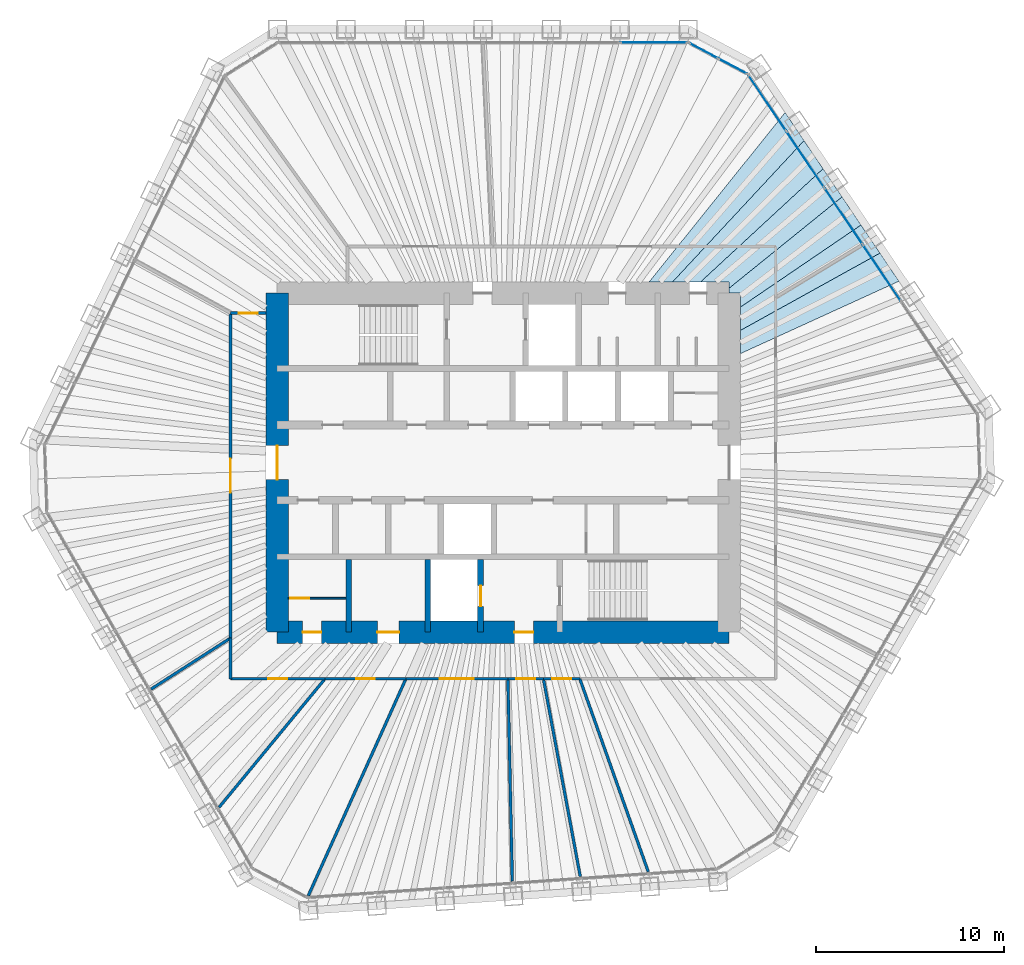
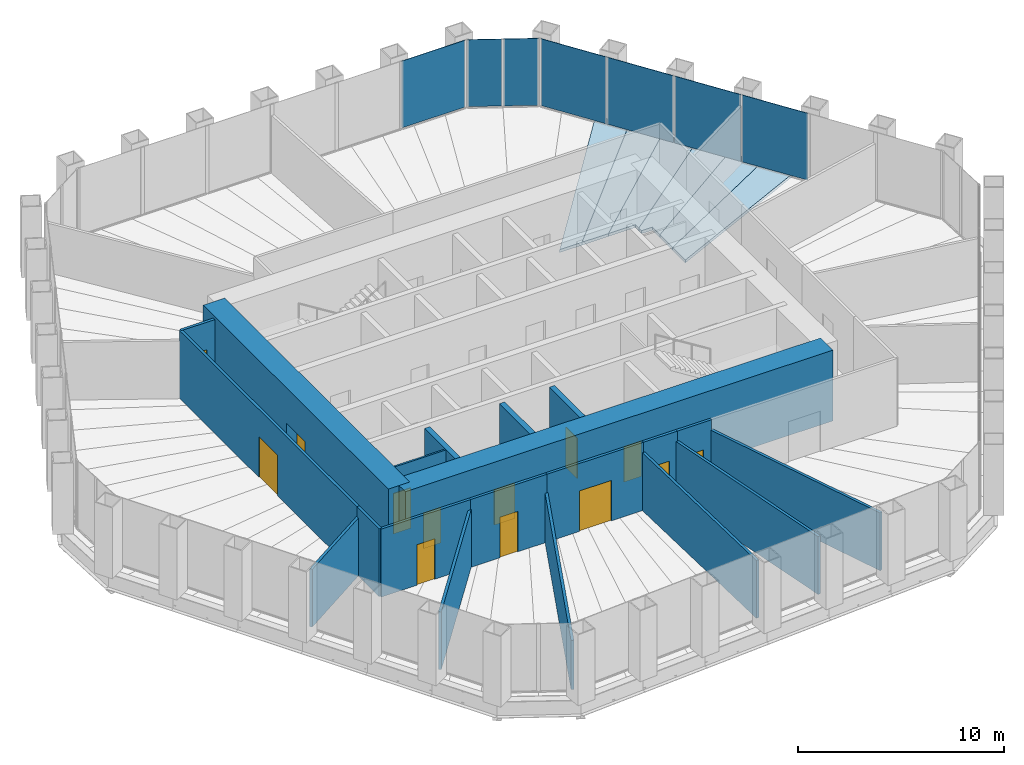
# One storey, part 10 of 13: 20 walls, 13 doors, 7 plates, 6 slabs, 13 openings, 3 elements without a shape of their own.
"""IFC4 building model written with IfcOpenShell, lengths in metres."""

from ifc_helpers import new_model, si_unit, direction, frame, frame_2d, origin, origin_2d, place, context, subcontext, project, spatial, polyline, rectangle, outline, extrude, material, layer, layer_set, type_object, element, fill, aggregate, save


model = new_model("IFC4")

# Units and contexts
model_context = context("Model", 3, precision=1e-05, world=origin(), true_north=direction((0.0, 1.0)))
body_context = subcontext(model_context, "Body", "Model", "MODEL_VIEW")
ifc_project = project(units=[si_unit("LENGTHUNIT", "METRE"), si_unit("AREAUNIT", "SQUARE_METRE"), si_unit("VOLUMEUNIT", "CUBIC_METRE"), si_unit("PLANEANGLEUNIT", "RADIAN"), si_unit("MASSUNIT", "GRAM", prefix="KILO")], contexts=[model_context])

# Site, building, storey
site_placement = place(None, origin())
site = spatial("IfcSite", under=ifc_project, at=site_placement, CompositionType="ELEMENT")
building_placement = place(site_placement, origin())
building = spatial("IfcBuilding", under=site, at=building_placement, Name="Qingtian Harvest Tower", CompositionType="ELEMENT")
storey_placement = place(building_placement, frame((0.0, 0.0, 230.800048828125)))
storey = spatial("IfcBuildingStorey", under=building, at=storey_placement, Name="L50", CompositionType="ELEMENT", Elevation=230.800048828125)

# Slabs
ifc_material_1 = material(Name="Concrete fc' 35 MPa", Category="concrete")
ifc_layer_1 = layer(ifc_material_1, 0.169921875)
ifc_layer_set_1 = layer_set([ifc_layer_1], Name="Composite floor slab FS17 170")
slab_type = type_object("IfcSlabType", Name="Composite floor slab FS17 170", PredefinedType="FLOOR", material=ifc_layer_set_1)
slab_1_placement = place(storey_placement, frame((0.0, 0.0, -0.170166015625)))
element("IfcSlab", 1, at=slab_1_placement, inside=storey, type_object=slab_type, Name="Floor slab L50 panel D45", PredefinedType="FLOOR", context=body_context, shape_type="SweptSolid", body=[
    extrude(outline(polyline([(12.60009765625, 7.023681640625), (20.003662109375, 11.125244140625), (21.010986328125, 9.6318359375), (12.60009765625, 5.7900390625), (12.60009765625, 7.023681640625)])), origin(), (0.0, 0.0, 1.0), 0.170166015625),
])
slab_2_placement = place(storey_placement, frame((0.0, 0.0, -0.170166015625)))
element("IfcSlab", 2, at=slab_2_placement, inside=storey, type_object=slab_type, Name="Floor slab L50 panel D46", PredefinedType="FLOOR", context=body_context, shape_type="SweptSolid", body=[
    extrude(outline(polyline([(12.60009765625, 8.260498046875), (18.997802734375, 12.61669921875), (20.003662109375, 11.125244140625), (12.60009765625, 7.023681640625), (12.60009765625, 8.260498046875)])), origin(), (0.0, 0.0, 1.0), 0.170166015625),
])
slab_3_placement = place(storey_placement, frame((0.0, 0.0, -0.170166015625)))
element("IfcSlab", 3, at=slab_3_placement, inside=storey, type_object=slab_type, Name="Floor slab L50 panel D47", PredefinedType="FLOOR", context=body_context, shape_type="SweptSolid", body=[
    extrude(outline(polyline([(12.60009765625, 9.0), (12.0, 9.0), (12.0, 9.2666015625), (17.99072265625, 14.109375), (18.997802734375, 12.61669921875), (12.60009765625, 8.260498046875), (12.60009765625, 9.0)])), origin(), (0.0, 0.0, 1.0), 0.170166015625),
])
slab_4_placement = place(storey_placement, frame((0.0, 0.0, -0.170166015625)))
element("IfcSlab", 4, at=slab_4_placement, inside=storey, type_object=slab_type, Name="Floor slab L50 panel D48", PredefinedType="FLOOR", context=body_context, shape_type="SweptSolid", body=[
    extrude(outline(polyline([(12.0, 9.60009765625), (10.48583984375, 9.60009765625), (16.982177734375, 15.604736328125), (17.99072265625, 14.109375), (12.0, 9.2666015625), (12.0, 9.60009765625)])), origin(), (0.0, 0.0, 1.0), 0.170166015625),
])
slab_5_placement = place(storey_placement, frame((0.0, 0.0, -0.170166015625)))
element("IfcSlab", 5, at=slab_5_placement, inside=storey, type_object=slab_type, Name="Floor slab L50 panel D49", PredefinedType="FLOOR", context=body_context, shape_type="SweptSolid", body=[
    extrude(outline(polyline([(8.998291015625, 9.60009765625), (15.974853515625, 17.098388671875), (16.982177734375, 15.604736328125), (10.48583984375, 9.60009765625), (8.998291015625, 9.60009765625)])), origin(), (0.0, 0.0, 1.0), 0.170166015625),
])
slab_6_placement = place(storey_placement, frame((0.0, 0.0, -0.170166015625)))
element("IfcSlab", 6, at=slab_6_placement, inside=storey, type_object=slab_type, Name="Floor slab L50 panel D50", PredefinedType="FLOOR", context=body_context, shape_type="SweptSolid", body=[
    extrude(outline(polyline([(7.751220703125, 9.60009765625), (14.967529296875, 18.591796875), (15.974853515625, 17.098388671875), (8.998291015625, 9.60009765625), (7.751220703125, 9.60009765625)])), origin(), (0.0, 0.0, 1.0), 0.170166015625),
])

# Curtain wall, plate
ifc_material_2 = material(Name="Bronze-anodised aluminium curtain wall", Category="aluminium")
curtain_wall_type = type_object("IfcCurtainWallType", Name="Curtain wall CW4 office", PredefinedType="USERDEFINED", material=ifc_material_2)
curtain_wall_1_placement = place(storey_placement, origin())
curtain_wall_1 = element("IfcCurtainWall", 7, at=curtain_wall_1_placement, inside=storey, type_object=curtain_wall_type, Name="Curtain wall CW4 L50 N0-5", ObjectType="RECESSED CURTAIN WALL", PredefinedType="USERDEFINED")
ifc_material_3 = material(Name="Bronze-tinted laminated insulating glass", Category="glass")
ifc_layer_2 = layer(ifc_material_3, 0.030029296875)
ifc_layer_set_2 = layer_set([ifc_layer_2], Name="Glazed panel CWP tinted IGU")
plate_type = type_object("IfcPlateType", Name="Glazed panel CWP tinted IGU", PredefinedType="CURTAIN_PANEL", material=ifc_layer_set_2)
plate_1_placement = place(storey_placement, frame((7.996337890625, 22.300048828125, 0.06494140625), z_axis=(0.0, 0.0, 1.0), x_axis=(1.0, 0.0, 0.0)))
plate_1 = element("IfcPlate", 8, at=plate_1_placement, type_object=plate_type, Name="CW4 panel 6.1", PredefinedType="CURTAIN_PANEL", context=body_context, shape_type="SweptSolid", body=[
    extrude(rectangle(XDim=3.5361328125, YDim=0.030029296875, at=origin_2d()), origin(), (0.0, 0.0, 1.0), 3.965087890625),
])
aggregate(curtain_wall_1, [plate_1])

# Curtain wall, plates
curtain_wall_2_placement = place(storey_placement, origin())
curtain_wall_2 = element("IfcCurtainWall", 9, at=curtain_wall_2_placement, inside=storey, type_object=curtain_wall_type, Name="Curtain wall CW4 L50 NC", ObjectType="RECESSED CURTAIN WALL", PredefinedType="USERDEFINED")
plate_2_placement = place(storey_placement, frame((10.634033203125, 21.8720703125, 0.06494140625), z_axis=(0.0, 0.0, 1.0), x_axis=(0.882947592859, -0.469471562786, 0.0)))
plate_2 = element("IfcPlate", 10, at=plate_2_placement, type_object=plate_type, Name="CW4 panel 1.1", PredefinedType="CURTAIN_PANEL", context=body_context, shape_type="SweptSolid", body=[
    extrude(rectangle(XDim=1.69287109375, YDim=0.030029296875, at=origin_2d()), origin(), (0.0, 0.0, 1.0), 3.965087890625),
])
plate_3_placement = place(storey_placement, frame((12.186279296875, 21.046875, 0.06494140625), z_axis=(0.0, 0.0, 1.0), x_axis=(0.882947592859, -0.469471562786, 0.0)))
plate_3 = element("IfcPlate", 11, at=plate_3_placement, type_object=plate_type, Name="CW4 panel 2.1", PredefinedType="CURTAIN_PANEL", context=body_context, shape_type="SweptSolid", body=[
    extrude(rectangle(XDim=1.69287109375, YDim=0.030029296875, at=origin_2d()), origin(), (0.0, 0.0, 1.0), 3.965087890625),
])
aggregate(curtain_wall_2, [plate_2, plate_3])

curtain_wall_3_placement = place(storey_placement, origin())
curtain_wall_3 = element("IfcCurtainWall", 12, at=curtain_wall_3_placement, inside=storey, type_object=curtain_wall_type, Name="Curtain wall CW4 L50 NE0-5", ObjectType="RECESSED CURTAIN WALL", PredefinedType="USERDEFINED")
plate_4_placement = place(storey_placement, frame((14.01611328125, 19.09912109375, 0.06494140625), z_axis=(0.0, 0.0, 1.0), x_axis=(0.559192903471, -0.829037572555, 0.0)))
plate_4 = element("IfcPlate", 13, at=plate_4_placement, type_object=plate_type, Name="CW4 panel 1.1", PredefinedType="CURTAIN_PANEL", context=body_context, shape_type="SweptSolid", body=[
    extrude(rectangle(XDim=3.5361328125, YDim=0.030029296875, at=origin_2d()), origin(), (0.0, 0.0, 1.0), 3.965087890625),
])
plate_5_placement = place(storey_placement, frame((16.038818359375, 16.100341796875, 0.06494140625), z_axis=(0.0, 0.0, 1.0), x_axis=(0.559192903471, -0.829037572555, 0.0)))
plate_5 = element("IfcPlate", 14, at=plate_5_placement, type_object=plate_type, Name="CW4 panel 2.1", PredefinedType="CURTAIN_PANEL", context=body_context, shape_type="SweptSolid", body=[
    extrude(rectangle(XDim=3.568603515625, YDim=0.030029296875, at=origin_2d()), origin(), (0.0, 0.0, 1.0), 3.965087890625),
])
plate_6_placement = place(storey_placement, frame((18.07080078125, 13.087890625, 0.06494140625), z_axis=(0.0, 0.0, 1.0), x_axis=(0.559192903471, -0.829037572555, 0.0)))
plate_6 = element("IfcPlate", 15, at=plate_6_placement, type_object=plate_type, Name="CW4 panel 3.1", PredefinedType="CURTAIN_PANEL", context=body_context, shape_type="SweptSolid", body=[
    extrude(rectangle(XDim=3.568603515625, YDim=0.030029296875, at=origin_2d()), origin(), (0.0, 0.0, 1.0), 3.965087890625),
])
plate_7_placement = place(storey_placement, frame((20.1025390625, 10.07568359375, 0.06494140625), z_axis=(0.0, 0.0, 1.0), x_axis=(0.559192903471, -0.829037572555, 0.0)))
plate_7 = element("IfcPlate", 16, at=plate_7_placement, type_object=plate_type, Name="CW4 panel 4.1", PredefinedType="CURTAIN_PANEL", context=body_context, shape_type="SweptSolid", body=[
    extrude(rectangle(XDim=3.568603515625, YDim=0.030029296875, at=origin_2d()), origin(), (0.0, 0.0, 1.0), 3.965087890625),
])
aggregate(curtain_wall_3, [plate_4, plate_5, plate_6, plate_7])

# Walls
ifc_material_4 = material(Name="Precast concrete shaft panel", Category="concrete")
ifc_layer_3 = layer(ifc_material_4, 0.300048828125)
ifc_layer_set_3 = layer_set([ifc_layer_3], Name="Core shaft partition SW1 300")
wall_type_1 = type_object("IfcWallType", Name="Core shaft partition SW1 300", PredefinedType="PARTITIONING", material=ifc_layer_set_3)
for number, where, z_axis, x_axis, name in (
    (17, (-8.199951171875, -9.0, 0.0), (0.0, 0.0, 1.0), (0.0, 1.0, 0.0), "Core shaft partition XS1 L50"),
    (18, (-4.0, -9.0, 0.0), (0.0, 0.0, 1.0), (0.0, 1.0, 0.0), "Core shaft partition XS2 L50"),
):
    element("IfcWall", number, at=place(storey_placement, frame(where, z_axis=z_axis, x_axis=x_axis)), inside=storey, type_object=wall_type_1, Name=name, PredefinedType="PARTITIONING", context=body_context, shape_type="SweptSolid", body=[
        extrude(rectangle(XDim=3.85009765625, YDim=0.300048828125, at=frame_2d((1.925048828125, 0.0))), origin(), (0.0, 0.0, 1.0), 3.97998046875),
    ])

# Wall, opening, door
wall_1_placement = place(storey_placement, frame((-1.199951171875, -9.0, 0.0), z_axis=(0.0, 0.0, 1.0), x_axis=(0.0, 1.0, 0.0)))
wall_1 = element("IfcWall", 19, at=wall_1_placement, inside=storey, type_object=wall_type_1, Name="Core shaft partition XS3 L50", PredefinedType="PARTITIONING", context=body_context, shape_type="SweptSolid", body=[
    extrude(rectangle(XDim=3.85009765625, YDim=0.300048828125, at=frame_2d((1.925048828125, 0.0))), origin(), (0.0, 0.0, 1.0), 3.97998046875),
])
opening_1_placement = place(wall_1_placement, frame((1.375, 0.0, 0.0)))
opening_1 = element("IfcOpeningElement", 20, at=opening_1_placement, cuts=wall_1, Name="Opening LD1", PredefinedType="OPENING", context=body_context, shape_type="SweptSolid", body=[
    extrude(rectangle(XDim=1.10009765625, YDim=2.39990234375, at=frame_2d((0.550048828125, 1.199951171875))), frame((0.0, 0.159912109375, 0.0), z_axis=(0.0, -1.0, 0.0), x_axis=(1.0, 0.0, 0.0)), (0.0, 0.0, 1.0), 0.320068359375),
])
ifc_material_5 = material(Name="Stainless steel lift landing door", Category="steel")
door_type_1 = type_object("IfcDoorType", Name="Lift landing door LD1 1 HR", OperationType="DOUBLE_DOOR_SLIDING", PredefinedType="DOOR", material=ifc_material_5)
door_1_placement = place(opening_1_placement, origin())
door_1 = element("IfcDoor", 21, at=door_1_placement, inside=storey, type_object=door_type_1, Name="FL2 landing door L50", OperationType="DOUBLE_DOOR_SLIDING", OverallHeight=2.39990234375, OverallWidth=1.10009765625, PredefinedType="DOOR", context=body_context, shape_type="SweptSolid", body=[
    extrude(rectangle(XDim=1.10009765625, YDim=2.39990234375, at=frame_2d((0.550048828125, 1.199951171875))), frame((0.0, 0.02490234375, 0.0), z_axis=(0.0, -1.0, 0.0), x_axis=(1.0, 0.0, 0.0)), (0.0, 0.0, 1.0), 0.050048828125),
])
fill(opening_1, door_1)

# Wall, openings, doors
ifc_material_6 = material(Name="Concrete fc' 70 MPa", Category="concrete")
ifc_layer_4 = layer(ifc_material_6, 1.199951171875)
ifc_layer_set_4 = layer_set([ifc_layer_4], Name="Core wall RC2 1200")
wall_type_2 = type_object("IfcWallType", Name="Core wall RC2 1200", PredefinedType="SHEAR", material=ifc_layer_set_4)
wall_2_placement = place(storey_placement, frame((-12.0, -9.0, 0.0), z_axis=(0.0, 0.0, 1.0), x_axis=(1.0, 0.0, 0.0)))
wall_2 = element("IfcWall", 22, at=wall_2_placement, inside=storey, type_object=wall_type_2, Name="Core wall CS L50", PredefinedType="SHEAR", context=body_context, shape_type="SweptSolid", body=[
    extrude(rectangle(XDim=24.0, YDim=1.199951171875, at=frame_2d((12.0, 0.0))), origin(), (0.0, 0.0, 1.0), 4.199951171875),
])
opening_2_placement = place(wall_2_placement, frame((1.35009765625, 0.0, 0.0)))
opening_2 = element("IfcOpeningElement", 23, at=opening_2_placement, cuts=wall_2, Name="Opening FD1", PredefinedType="OPENING", context=body_context, shape_type="SweptSolid", body=[
    extrude(rectangle(XDim=1.0, YDim=2.10009765625, at=frame_2d((0.5, 1.050048828125))), frame((0.0, 0.60986328125, 0.0), z_axis=(0.0, -1.0, 0.0), x_axis=(1.0, 0.0, 0.0)), (0.0, 0.0, 1.0), 1.219970703125),
])
opening_3_placement = place(wall_2_placement, frame((5.324951171875, 0.0, 0.0)))
opening_3 = element("IfcOpeningElement", 24, at=opening_3_placement, cuts=wall_2, Name="Opening AD1", PredefinedType="OPENING", context=body_context, shape_type="SweptSolid", body=[
    extrude(rectangle(XDim=1.14990234375, YDim=2.10009765625, at=frame_2d((0.574951171875, 1.050048828125))), frame((0.0, 0.60986328125, 0.0), z_axis=(0.0, -1.0, 0.0), x_axis=(1.0, 0.0, 0.0)), (0.0, 0.0, 1.0), 1.219970703125),
])
opening_4_placement = place(wall_2_placement, frame((12.60009765625, 0.0, 0.0)))
opening_4 = element("IfcOpeningElement", 25, at=opening_4_placement, cuts=wall_2, Name="Opening FD1", PredefinedType="OPENING", context=body_context, shape_type="SweptSolid", body=[
    extrude(rectangle(XDim=1.0, YDim=2.10009765625, at=frame_2d((0.5, 1.050048828125))), frame((0.0, 0.60986328125, 0.0), z_axis=(0.0, -1.0, 0.0), x_axis=(1.0, 0.0, 0.0)), (0.0, 0.0, 1.0), 1.219970703125),
])
ifc_material_7 = material(Name="Laminated timber door leaf", Category="wood")
door_type_2 = type_object("IfcDoorType", Name="Accessible WC door AD1 single", OperationType="SINGLE_SWING_LEFT", PredefinedType="DOOR", material=ifc_material_7)
door_2_placement = place(opening_3_placement, origin())
door_2 = element("IfcDoor", 26, at=door_2_placement, inside=storey, type_object=door_type_2, Name="AWC door L50", OperationType="SINGLE_SWING_LEFT", OverallHeight=2.10009765625, OverallWidth=1.14990234375, PredefinedType="DOOR", context=body_context, shape_type="SweptSolid", body=[
    extrude(rectangle(XDim=1.14990234375, YDim=2.10009765625, at=frame_2d((0.574951171875, 1.050048828125))), frame((0.0, 0.02490234375, 0.0), z_axis=(0.0, -1.0, 0.0), x_axis=(1.0, 0.0, 0.0)), (0.0, 0.0, 1.0), 0.050048828125),
])
fill(opening_3, door_2)
ifc_material_8 = material(Name="Steel-faced door leaf", Category="steel")
door_type_3 = type_object("IfcDoorType", Name="Fire door FD1 single 1 HR", OperationType="SINGLE_SWING_LEFT", PredefinedType="DOOR", material=ifc_material_8)
door_3_placement = place(opening_2_placement, origin())
door_3 = element("IfcDoor", 27, at=door_3_placement, inside=storey, type_object=door_type_3, Name="CLN door L50", OperationType="SINGLE_SWING_LEFT", OverallHeight=2.10009765625, OverallWidth=1.0, PredefinedType="DOOR", context=body_context, shape_type="SweptSolid", body=[
    extrude(rectangle(XDim=1.0, YDim=2.10009765625, at=frame_2d((0.5, 1.050048828125))), frame((0.0, 0.02490234375, 0.0), z_axis=(0.0, -1.0, 0.0), x_axis=(1.0, 0.0, 0.0)), (0.0, 0.0, 1.0), 0.050048828125),
])
fill(opening_2, door_3)
door_4_placement = place(opening_4_placement, origin())
door_4 = element("IfcDoor", 28, at=door_4_placement, inside=storey, type_object=door_type_3, Name="V2 door L50", OperationType="SINGLE_SWING_LEFT", OverallHeight=2.10009765625, OverallWidth=1.0, PredefinedType="DOOR", context=body_context, shape_type="SweptSolid", body=[
    extrude(rectangle(XDim=1.0, YDim=2.10009765625, at=frame_2d((0.5, 1.050048828125))), frame((0.0, 0.02490234375, 0.0), z_axis=(0.0, -1.0, 0.0), x_axis=(1.0, 0.0, 0.0)), (0.0, 0.0, 1.0), 0.050048828125),
])
fill(opening_4, door_4)

# Wall, opening, door
wall_3_placement = place(storey_placement, frame((-12.0, -9.0, 0.0), z_axis=(0.0, 0.0, 1.0), x_axis=(0.0, 1.0, 0.0)))
wall_3 = element("IfcWall", 29, at=wall_3_placement, inside=storey, type_object=wall_type_2, Name="Core wall CW L50", PredefinedType="SHEAR", context=body_context, shape_type="SweptSolid", body=[
    extrude(rectangle(XDim=18.0, YDim=1.199951171875, at=frame_2d((9.0, 0.0))), origin(), (0.0, 0.0, 1.0), 4.199951171875),
])
opening_5_placement = place(wall_3_placement, frame((8.10009765625, 0.0, 0.0)))
opening_5 = element("IfcOpeningElement", 30, at=opening_5_placement, cuts=wall_3, Name="Opening FD2", PredefinedType="OPENING", context=body_context, shape_type="SweptSolid", body=[
    extrude(rectangle(XDim=1.800048828125, YDim=2.10009765625, at=frame_2d((0.89990234375, 1.050048828125))), frame((0.0, 0.60986328125, 0.0), z_axis=(0.0, -1.0, 0.0), x_axis=(1.0, 0.0, 0.0)), (0.0, 0.0, 1.0), 1.219970703125),
])
ifc_material_9 = material(Name="Steel-faced door leaf", Category="steel")
door_type_4 = type_object("IfcDoorType", Name="Fire door FD2 double 1 HR", OperationType="DOUBLE_DOOR_DOUBLE_SWING", PredefinedType="DOOR", material=ifc_material_9)
door_5_placement = place(opening_5_placement, origin())
door_5 = element("IfcDoor", 31, at=door_5_placement, inside=storey, type_object=door_type_4, Name="LOBBY-W door L50", OperationType="DOUBLE_DOOR_DOUBLE_SWING", OverallHeight=2.10009765625, OverallWidth=1.800048828125, PredefinedType="DOOR", context=body_context, shape_type="SweptSolid", body=[
    extrude(rectangle(XDim=1.800048828125, YDim=2.10009765625, at=frame_2d((0.89990234375, 1.050048828125))), frame((0.0, 0.02490234375, 0.0), z_axis=(0.0, -1.0, 0.0), x_axis=(1.0, 0.0, 0.0)), (0.0, 0.0, 1.0), 0.050048828125),
])
fill(opening_5, door_5)

# Wall
ifc_material_10 = material(Name="Gypsum board on steel studs", Category="steel")
ifc_layer_5 = layer(ifc_material_10, 0.14990234375)
ifc_layer_set_5 = layer_set([ifc_layer_5], Name="Partition PT1 150")
wall_type_3 = type_object("IfcWallType", Name="Partition PT1 150", PredefinedType="PARTITIONING", material=ifc_layer_set_5)
wall_4_placement = place(storey_placement, frame((-18.692626953125, -12.023681640625, 0.0), z_axis=(0.0, 0.0, 1.0), x_axis=(0.841031335058, 0.540986407824, 0.0)))
element("IfcWall", 32, at=wall_4_placement, inside=storey, type_object=wall_type_3, Name="Office suite wall L50", PredefinedType="PARTITIONING", context=body_context, shape_type="SweptSolid", body=[
    extrude(rectangle(XDim=5.0146484375, YDim=0.14990234375, at=frame_2d((2.50732421875, 0.0))), origin(), (0.0, 0.0, 1.0), 3.429931640625),
])

# Wall, opening, door
wall_5_placement = place(storey_placement, frame((-14.47509765625, -9.310791015625, 0.0), z_axis=(0.0, 0.0, 1.0), x_axis=(0.0, 1.0, 0.0)))
wall_5 = element("IfcWall", 33, at=wall_5_placement, inside=storey, type_object=wall_type_3, Name="Office suite wall L50", PredefinedType="PARTITIONING", context=body_context, shape_type="SweptSolid", body=[
    extrude(rectangle(XDim=17.252197265625, YDim=0.14990234375, at=frame_2d((8.6259765625, 0.0))), origin(), (0.0, 0.0, 1.0), 4.030029296875),
])
opening_6_placement = place(wall_5_placement, frame((7.72607421875, 0.0, 0.0)))
opening_6 = element("IfcOpeningElement", 34, at=opening_6_placement, cuts=wall_5, Name="Opening D3", PredefinedType="OPENING", context=body_context, shape_type="SweptSolid", body=[
    extrude(rectangle(XDim=1.800048828125, YDim=2.39990234375, at=frame_2d((0.89990234375, 1.199951171875))), frame((0.0, 0.0849609375, 0.0), z_axis=(0.0, -1.0, 0.0), x_axis=(1.0, 0.0, 0.0)), (0.0, 0.0, 1.0), 0.169921875),
])
ifc_material_11 = material(Name="Laminated timber door leaf", Category="wood")
door_type_5 = type_object("IfcDoorType", Name="Room door D3 double", OperationType="DOUBLE_DOOR_DOUBLE_SWING", PredefinedType="DOOR", material=ifc_material_11)
door_6_placement = place(opening_6_placement, origin())
door_6 = element("IfcDoor", 35, at=door_6_placement, inside=storey, type_object=door_type_5, Name="Office suite door L50", OperationType="DOUBLE_DOOR_DOUBLE_SWING", OverallHeight=2.39990234375, OverallWidth=1.800048828125, PredefinedType="DOOR", context=body_context, shape_type="SweptSolid", body=[
    extrude(rectangle(XDim=1.800048828125, YDim=2.39990234375, at=frame_2d((0.89990234375, 1.199951171875))), frame((0.0, 0.02490234375, 0.0), z_axis=(0.0, -1.0, 0.0), x_axis=(1.0, 0.0, 0.0)), (0.0, 0.0, 1.0), 0.050048828125),
])
fill(opening_6, door_6)

wall_6_placement = place(storey_placement, frame((-14.47509765625, 7.94140625, 0.0), z_axis=(0.0, 0.0, 1.0), x_axis=(1.0, 0.0, 0.0)))
wall_6 = element("IfcWall", 36, at=wall_6_placement, inside=storey, type_object=wall_type_3, Name="Office suite wall L50", PredefinedType="PARTITIONING", context=body_context, shape_type="SweptSolid", body=[
    extrude(rectangle(XDim=1.875, YDim=0.14990234375, at=frame_2d((0.9375, 0.0))), origin(), (0.0, 0.0, 1.0), 4.030029296875),
])
opening_7_placement = place(wall_6_placement, frame((0.4375, 0.0, 0.0)))
opening_7 = element("IfcOpeningElement", 37, at=opening_7_placement, cuts=wall_6, Name="Opening D2", PredefinedType="OPENING", context=body_context, shape_type="SweptSolid", body=[
    extrude(rectangle(XDim=1.0, YDim=2.39990234375, at=frame_2d((0.5, 1.199951171875))), frame((0.0, 0.0849609375, 0.0), z_axis=(0.0, -1.0, 0.0), x_axis=(1.0, 0.0, 0.0)), (0.0, 0.0, 1.0), 0.169921875),
])
ifc_material_12 = material(Name="Laminated timber door leaf", Category="wood")
door_type_6 = type_object("IfcDoorType", Name="Room door D2 single", OperationType="SINGLE_SWING_LEFT", PredefinedType="DOOR", material=ifc_material_12)
door_7_placement = place(opening_7_placement, origin())
door_7 = element("IfcDoor", 38, at=door_7_placement, inside=storey, type_object=door_type_6, Name="Office suite door L50", OperationType="SINGLE_SWING_LEFT", OverallHeight=2.39990234375, OverallWidth=1.0, PredefinedType="DOOR", context=body_context, shape_type="SweptSolid", body=[
    extrude(rectangle(XDim=1.0, YDim=2.39990234375, at=frame_2d((0.5, 1.199951171875))), frame((0.0, 0.02490234375, 0.0), z_axis=(0.0, -1.0, 0.0), x_axis=(1.0, 0.0, 0.0)), (0.0, 0.0, 1.0), 0.050048828125),
])
fill(opening_7, door_7)

# Wall
wall_7_placement = place(storey_placement, frame((7.702880859375, -21.71923828125, 0.0), z_axis=(0.0, 0.0, 1.0), x_axis=(-0.334269551553, 0.942477515331, 0.0)))
element("IfcWall", 39, at=wall_7_placement, inside=storey, type_object=wall_type_3, Name="Focus room wall L50", PredefinedType="PARTITIONING", context=body_context, shape_type="SweptSolid", body=[
    extrude(rectangle(XDim=10.869384765625, YDim=0.14990234375, at=frame_2d((5.4345703125, 0.0))), origin(), (0.0, 0.0, 1.0), 3.429931640625),
])

# Wall, opening, door
wall_8_placement = place(storey_placement, frame((4.069580078125, -11.47509765625, 0.0), z_axis=(0.0, 0.0, 1.0), x_axis=(-1.0, 0.0, 0.0)))
wall_8 = element("IfcWall", 40, at=wall_8_placement, inside=storey, type_object=wall_type_3, Name="Focus room wall L50", PredefinedType="PARTITIONING", context=body_context, shape_type="SweptSolid", body=[
    extrude(rectangle(XDim=1.931640625, YDim=0.14990234375, at=frame_2d((0.9658203125, 0.0))), origin(), (0.0, 0.0, 1.0), 4.030029296875),
])
opening_8_placement = place(wall_8_placement, frame((0.4658203125, 0.0, 0.0)))
opening_8 = element("IfcOpeningElement", 41, at=opening_8_placement, cuts=wall_8, Name="Opening D2", PredefinedType="OPENING", context=body_context, shape_type="SweptSolid", body=[
    extrude(rectangle(XDim=1.0, YDim=2.39990234375, at=frame_2d((0.5, 1.199951171875))), frame((0.0, 0.0849609375, 0.0), z_axis=(0.0, -1.0, 0.0), x_axis=(1.0, 0.0, 0.0)), (0.0, 0.0, 1.0), 0.169921875),
])
door_8_placement = place(opening_8_placement, origin())
door_8 = element("IfcDoor", 42, at=door_8_placement, inside=storey, type_object=door_type_6, Name="Focus room door L50", OperationType="SINGLE_SWING_RIGHT", OverallHeight=2.39990234375, OverallWidth=1.0, PredefinedType="DOOR", context=body_context, shape_type="SweptSolid", body=[
    extrude(rectangle(XDim=1.0, YDim=2.39990234375, at=frame_2d((0.5, 1.199951171875))), frame((0.0, 0.02490234375, 0.0), z_axis=(0.0, -1.0, 0.0), x_axis=(1.0, 0.0, 0.0)), (0.0, 0.0, 1.0), 0.050048828125),
])
fill(opening_8, door_8)

# Wall
wall_9_placement = place(storey_placement, frame((4.09326171875, -21.96875, 0.0), z_axis=(0.0, 0.0, 1.0), x_axis=(-0.183180901121, 0.983079222374, 0.0)))
element("IfcWall", 43, at=wall_9_placement, inside=storey, type_object=wall_type_3, Name="Print room wall L50", PredefinedType="PARTITIONING", context=body_context, shape_type="SweptSolid", body=[
    extrude(rectangle(XDim=10.67431640625, YDim=0.14990234375, at=frame_2d((5.337158203125, 0.0))), origin(), (0.0, 0.0, 1.0), 3.429931640625),
])

# Wall, opening, door
wall_10_placement = place(storey_placement, frame((2.137939453125, -11.47509765625, 0.0), z_axis=(0.0, 0.0, 1.0), x_axis=(-1.0, 0.0, 0.0)))
wall_10 = element("IfcWall", 44, at=wall_10_placement, inside=storey, type_object=wall_type_3, Name="Print room wall L50", PredefinedType="PARTITIONING", context=body_context, shape_type="SweptSolid", body=[
    extrude(rectangle(XDim=1.8876953125, YDim=0.14990234375, at=frame_2d((0.94384765625, 0.0))), origin(), (0.0, 0.0, 1.0), 4.030029296875),
])
opening_9_placement = place(wall_10_placement, frame((0.44384765625, 0.0, 0.0)))
opening_9 = element("IfcOpeningElement", 45, at=opening_9_placement, cuts=wall_10, Name="Opening D2", PredefinedType="OPENING", context=body_context, shape_type="SweptSolid", body=[
    extrude(rectangle(XDim=1.0, YDim=2.39990234375, at=frame_2d((0.5, 1.199951171875))), frame((0.0, 0.0849609375, 0.0), z_axis=(0.0, -1.0, 0.0), x_axis=(1.0, 0.0, 0.0)), (0.0, 0.0, 1.0), 0.169921875),
])
door_9_placement = place(opening_9_placement, origin())
door_9 = element("IfcDoor", 46, at=door_9_placement, inside=storey, type_object=door_type_6, Name="Print room door L50", OperationType="SINGLE_SWING_RIGHT", OverallHeight=2.39990234375, OverallWidth=1.0, PredefinedType="DOOR", context=body_context, shape_type="SweptSolid", body=[
    extrude(rectangle(XDim=1.0, YDim=2.39990234375, at=frame_2d((0.5, 1.199951171875))), frame((0.0, 0.02490234375, 0.0), z_axis=(0.0, -1.0, 0.0), x_axis=(1.0, 0.0, 0.0)), (0.0, 0.0, 1.0), 0.050048828125),
])
fill(opening_9, door_9)

# Wall
wall_11_placement = place(storey_placement, frame((0.484619140625, -22.220458984375, 0.0), z_axis=(0.0, 0.0, 1.0), x_axis=(-0.021806550804, 0.999762208899, 0.0)))
element("IfcWall", 47, at=wall_11_placement, inside=storey, type_object=wall_type_3, Name="Office suite wall L50", PredefinedType="PARTITIONING", context=body_context, shape_type="SweptSolid", body=[
    extrude(rectangle(XDim=10.747802734375, YDim=0.14990234375, at=frame_2d((5.3740234375, 0.0))), origin(), (0.0, 0.0, 1.0), 3.429931640625),
])

# Wall, opening, door
wall_12_placement = place(storey_placement, frame((0.250244140625, -11.47509765625, 0.0), z_axis=(0.0, 0.0, 1.0), x_axis=(-1.0, 0.0, 0.0)))
wall_12 = element("IfcWall", 48, at=wall_12_placement, inside=storey, type_object=wall_type_3, Name="Office suite wall L50", PredefinedType="PARTITIONING", context=body_context, shape_type="SweptSolid", body=[
    extrude(rectangle(XDim=5.41455078125, YDim=0.14990234375, at=frame_2d((2.707275390625, 0.0))), origin(), (0.0, 0.0, 1.0), 4.030029296875),
])
opening_10_placement = place(wall_12_placement, frame((1.80712890625, 0.0, 0.0)))
opening_10 = element("IfcOpeningElement", 49, at=opening_10_placement, cuts=wall_12, Name="Opening D3", PredefinedType="OPENING", context=body_context, shape_type="SweptSolid", body=[
    extrude(rectangle(XDim=1.800048828125, YDim=2.39990234375, at=frame_2d((0.89990234375, 1.199951171875))), frame((0.0, 0.0849609375, 0.0), z_axis=(0.0, -1.0, 0.0), x_axis=(1.0, 0.0, 0.0)), (0.0, 0.0, 1.0), 0.169921875),
])
door_10_placement = place(opening_10_placement, origin())
door_10 = element("IfcDoor", 50, at=door_10_placement, inside=storey, type_object=door_type_5, Name="Office suite door L50", OperationType="DOUBLE_DOOR_DOUBLE_SWING", OverallHeight=2.39990234375, OverallWidth=1.800048828125, PredefinedType="DOOR", context=body_context, shape_type="SweptSolid", body=[
    extrude(rectangle(XDim=1.800048828125, YDim=2.39990234375, at=frame_2d((0.89990234375, 1.199951171875))), frame((0.0, 0.02490234375, 0.0), z_axis=(0.0, -1.0, 0.0), x_axis=(1.0, 0.0, 0.0)), (0.0, 0.0, 1.0), 0.050048828125),
])
fill(opening_10, door_10)

# Wall
wall_13_placement = place(storey_placement, frame((-10.34619140625, -22.989501953125, 0.0), z_axis=(0.0, 0.0, 1.0), x_axis=(0.410391207886, 0.91190956596, 0.0)))
element("IfcWall", 51, at=wall_13_placement, inside=storey, type_object=wall_type_3, Name="Store room wall L50", PredefinedType="PARTITIONING", context=body_context, shape_type="SweptSolid", body=[
    extrude(rectangle(XDim=12.626708984375, YDim=0.14990234375, at=frame_2d((6.3134765625, 0.0))), origin(), (0.0, 0.0, 1.0), 2.929931640625),
])

# Wall, opening, door
wall_14_placement = place(storey_placement, frame((-5.164306640625, -11.47509765625, 0.0), z_axis=(0.0, 0.0, 1.0), x_axis=(-1.0, 0.0, 0.0)))
wall_14 = element("IfcWall", 52, at=wall_14_placement, inside=storey, type_object=wall_type_3, Name="Store room wall L50", PredefinedType="PARTITIONING", context=body_context, shape_type="SweptSolid", body=[
    extrude(rectangle(XDim=4.29443359375, YDim=0.14990234375, at=frame_2d((2.147216796875, 0.0))), origin(), (0.0, 0.0, 1.0), 4.030029296875),
])
opening_11_placement = place(wall_14_placement, frame((1.647216796875, 0.0, 0.0)))
opening_11 = element("IfcOpeningElement", 53, at=opening_11_placement, cuts=wall_14, Name="Opening D2", PredefinedType="OPENING", context=body_context, shape_type="SweptSolid", body=[
    extrude(rectangle(XDim=1.0, YDim=2.39990234375, at=frame_2d((0.5, 1.199951171875))), frame((0.0, 0.0849609375, 0.0), z_axis=(0.0, -1.0, 0.0), x_axis=(1.0, 0.0, 0.0)), (0.0, 0.0, 1.0), 0.169921875),
])
door_11_placement = place(opening_11_placement, origin())
door_11 = element("IfcDoor", 54, at=door_11_placement, inside=storey, type_object=door_type_6, Name="Store room door L50", OperationType="SINGLE_SWING_LEFT", OverallHeight=2.39990234375, OverallWidth=1.0, PredefinedType="DOOR", context=body_context, shape_type="SweptSolid", body=[
    extrude(rectangle(XDim=1.0, YDim=2.39990234375, at=frame_2d((0.5, 1.199951171875))), frame((0.0, 0.02490234375, 0.0), z_axis=(0.0, -1.0, 0.0), x_axis=(1.0, 0.0, 0.0)), (0.0, 0.0, 1.0), 0.050048828125),
])
fill(opening_11, door_11)

# Wall
wall_15_placement = place(storey_placement, frame((-15.07958984375, -18.294189453125, 0.0), z_axis=(0.0, 0.0, 1.0), x_axis=(0.636052894953, 0.771645459277, 0.0)))
element("IfcWall", 55, at=wall_15_placement, inside=storey, type_object=wall_type_3, Name="Meeting room wall L50", PredefinedType="PARTITIONING", context=body_context, shape_type="SweptSolid", body=[
    extrude(rectangle(XDim=8.837158203125, YDim=0.14990234375, at=frame_2d((4.41845703125, 0.0))), origin(), (0.0, 0.0, 1.0), 3.429931640625),
])

# Wall, opening, door
wall_16_placement = place(storey_placement, frame((-9.458740234375, -11.47509765625, 0.0), z_axis=(0.0, 0.0, 1.0), x_axis=(-1.0, 0.0, 0.0)))
wall_16 = element("IfcWall", 56, at=wall_16_placement, inside=storey, type_object=wall_type_3, Name="Meeting room wall L50", PredefinedType="PARTITIONING", context=body_context, shape_type="SweptSolid", body=[
    extrude(rectangle(XDim=5.016357421875, YDim=0.14990234375, at=frame_2d((2.50830078125, 0.0))), origin(), (0.0, 0.0, 1.0), 4.030029296875),
])
opening_12_placement = place(wall_16_placement, frame((2.00830078125, 0.0, 0.0)))
opening_12 = element("IfcOpeningElement", 57, at=opening_12_placement, cuts=wall_16, Name="Opening D2", PredefinedType="OPENING", context=body_context, shape_type="SweptSolid", body=[
    extrude(rectangle(XDim=1.0, YDim=2.39990234375, at=frame_2d((0.5, 1.199951171875))), frame((0.0, 0.0849609375, 0.0), z_axis=(0.0, -1.0, 0.0), x_axis=(1.0, 0.0, 0.0)), (0.0, 0.0, 1.0), 0.169921875),
])
door_12_placement = place(opening_12_placement, origin())
door_12 = element("IfcDoor", 58, at=door_12_placement, inside=storey, type_object=door_type_6, Name="Meeting room door L50", OperationType="SINGLE_SWING_LEFT", OverallHeight=2.39990234375, OverallWidth=1.0, PredefinedType="DOOR", context=body_context, shape_type="SweptSolid", body=[
    extrude(rectangle(XDim=1.0, YDim=2.39990234375, at=frame_2d((0.5, 1.199951171875))), frame((0.0, 0.02490234375, 0.0), z_axis=(0.0, -1.0, 0.0), x_axis=(1.0, 0.0, 0.0)), (0.0, 0.0, 1.0), 0.050048828125),
])
fill(opening_12, door_12)

# Wall
wall_17_placement = place(storey_placement, frame((-14.47509765625, -11.47509765625, 0.0), z_axis=(0.0, 0.0, 1.0), x_axis=(0.0, 1.0, 0.0)))
element("IfcWall", 59, at=wall_17_placement, inside=storey, type_object=wall_type_3, Name="Meeting room wall L50", PredefinedType="PARTITIONING", context=body_context, shape_type="SweptSolid", body=[
    extrude(rectangle(XDim=2.164306640625, YDim=0.14990234375, at=frame_2d((1.08203125, 0.0))), origin(), (0.0, 0.0, 1.0), 4.030029296875),
])

# Wall, opening, door
ifc_material_13 = material(Name="Concrete block partition", Category="concrete")
ifc_layer_6 = layer(ifc_material_13, 0.10009765625)
ifc_layer_set_6 = layer_set([ifc_layer_6], Name="Store partition PT3 100")
wall_type_4 = type_object("IfcWallType", Name="Store partition PT3 100", PredefinedType="PARTITIONING", material=ifc_layer_set_6)
wall_18_placement = place(storey_placement, frame((-11.39990234375, -7.199951171875, 0.0), z_axis=(0.0, 0.0, 1.0), x_axis=(1.0, 0.0, 0.0)))
wall_18 = element("IfcWall", 60, at=wall_18_placement, inside=storey, type_object=wall_type_4, Name="Waste store wall L50", PredefinedType="PARTITIONING", context=body_context, shape_type="SweptSolid", body=[
    extrude(rectangle(XDim=3.0498046875, YDim=0.10009765625, at=frame_2d((1.52490234375, 0.0))), origin(), (0.0, 0.0, 1.0), 3.97998046875),
])
opening_13_placement = place(wall_18_placement, frame((0.10009765625, 0.0, 0.0)))
opening_13 = element("IfcOpeningElement", 61, at=opening_13_placement, cuts=wall_18, Name="Opening D2", PredefinedType="OPENING", context=body_context, shape_type="SweptSolid", body=[
    extrude(rectangle(XDim=1.0, YDim=2.39990234375, at=frame_2d((0.5, 1.199951171875))), frame((0.0, 0.06005859375, 0.0), z_axis=(0.0, -1.0, 0.0), x_axis=(1.0, 0.0, 0.0)), (0.0, 0.0, 1.0), 0.1201171875),
])
door_13_placement = place(opening_13_placement, origin())
door_13 = element("IfcDoor", 62, at=door_13_placement, inside=storey, type_object=door_type_6, Name="Waste store door L50", OperationType="SINGLE_SWING_LEFT", OverallHeight=2.39990234375, OverallWidth=1.0, PredefinedType="DOOR", context=body_context, shape_type="SweptSolid", body=[
    extrude(rectangle(XDim=1.0, YDim=2.39990234375, at=frame_2d((0.5, 1.199951171875))), frame((0.0, 0.02490234375, 0.0), z_axis=(0.0, -1.0, 0.0), x_axis=(1.0, 0.0, 0.0)), (0.0, 0.0, 1.0), 0.050048828125),
])
fill(opening_13, door_13)

save(model, "model.ifc")
